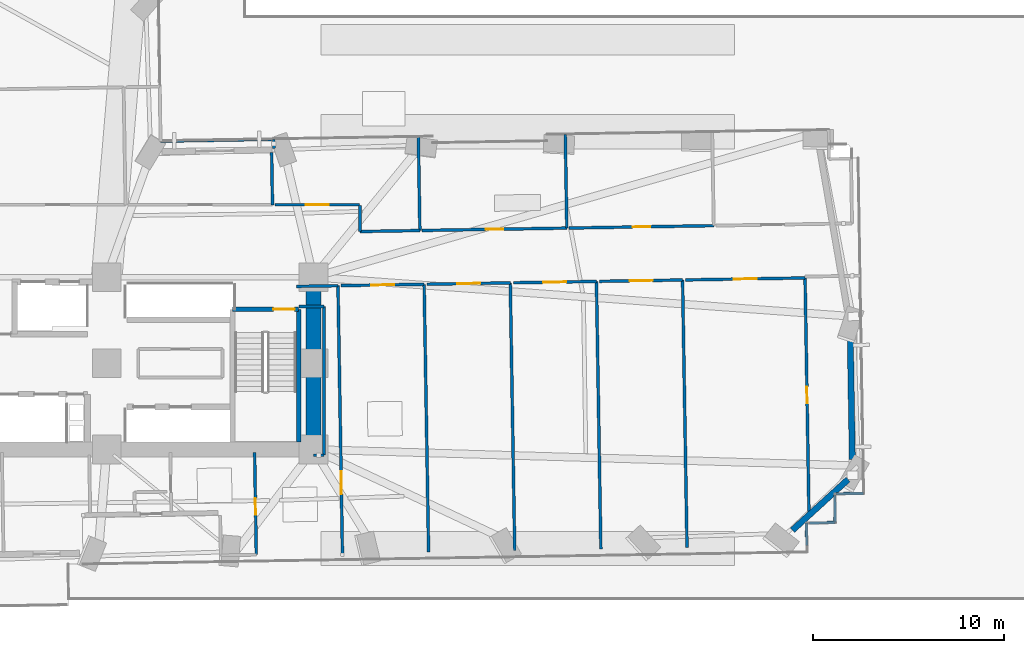
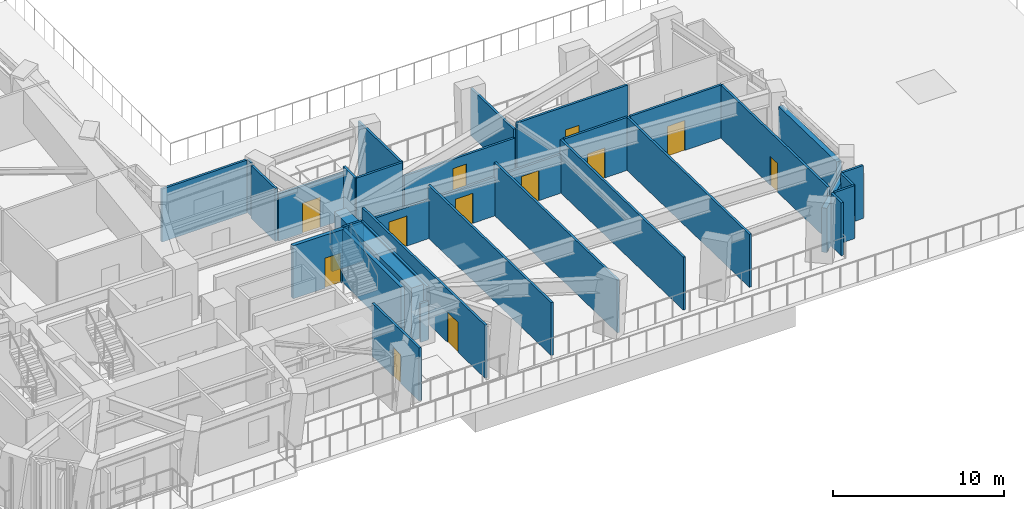
# One storey, part 8 of 17: 35 walls, 12 doors, 12 openings.
"""IFC4 building model written with IfcOpenShell, lengths in metres."""

from ifc_helpers import new_model, si_unit, direction, frame, frame_2d, origin, place, context, subcontext, project, spatial, rectangle, extrude, material, layer, layer_set, type_object, element, fill, save


model = new_model("IFC4")

# Units and contexts
model_context = context("Model", 3, precision=1e-05, world=origin(), true_north=direction((0.0, 1.0)))
body_context = subcontext(model_context, "Body", "Model", "MODEL_VIEW")
ifc_project = project(units=[si_unit("LENGTHUNIT", "METRE"), si_unit("AREAUNIT", "SQUARE_METRE"), si_unit("VOLUMEUNIT", "CUBIC_METRE"), si_unit("PLANEANGLEUNIT", "RADIAN"), si_unit("MASSUNIT", "GRAM", prefix="KILO")], contexts=[model_context])

# Site, building, storey
site_placement = place(None, origin())
site = spatial("IfcSite", under=ifc_project, at=site_placement, CompositionType="ELEMENT")
building_placement = place(site_placement, origin())
building = spatial("IfcBuilding", under=site, at=building_placement, Name="Gaonmaruhae Medical Tower", CompositionType="ELEMENT")
storey_placement = place(building_placement, frame((0.0, 0.0, 27.0)))
storey = spatial("IfcBuildingStorey", under=building, at=storey_placement, Name="L05", CompositionType="ELEMENT", Elevation=27.0)

# Walls
ifc_material_1 = material(Name="Concrete C60/75", Category="concrete")
ifc_layer_1 = layer(ifc_material_1, 0.800048828125)
ifc_layer_set_1 = layer_set([ifc_layer_1], Name="Concrete C60/75")
wall_type_1 = type_object("IfcWallType", Name="CW-800 Lower Core Shear Wall", PredefinedType="SHEAR", material=ifc_layer_set_1)
wall_1_placement = place(storey_placement, frame((35.60009765625, 7.800048828125, 0.0), z_axis=(0.0, 0.0, 1.0), x_axis=(0.0, 1.0, 0.0)))
element("IfcWall", 1, at=wall_1_placement, inside=storey, type_object=wall_type_1, Name="L05 Core Shear Wall CSW-E1", PredefinedType="SHEAR", context=body_context, shape_type="SweptSolid", body=[
    extrude(rectangle(XDim=9.0, YDim=0.800048828125, at=frame_2d((4.5, 0.0))), origin(), (0.0, 0.0, 1.0), 3.780029296875),
])
ifc_material_2 = material(Name="Precast concrete C45/55", Category="concrete")
ifc_layer_2 = layer(ifc_material_2, 0.320068359375)
ifc_layer_set_2 = layer_set([ifc_layer_2], Name="Precast concrete C45/55")
wall_type_2 = type_object("IfcWallType", Name="EW-320 Lower Precast Masonry-Frame Facade Wall", PredefinedType="SOLIDWALL", material=ifc_layer_set_2)
wall_2_placement = place(storey_placement, frame((63.520751953125, 6.230712890625, 0.0), z_axis=(0.0, 0.0, 1.0), x_axis=(-0.738453195847, -0.674304736409, 0.0)))
element("IfcWall", 2, at=wall_2_placement, inside=storey, type_object=wall_type_2, Name="L05 Precast Masonry-Frame Wall S08-E01", PredefinedType="SOLIDWALL", context=body_context, shape_type="SweptSolid", body=[
    extrude(rectangle(XDim=3.927734375, YDim=0.320068359375, at=frame_2d((1.9638671875, 0.0))), origin(), (0.0, 0.0, 1.0), 3.1650390625),
])
wall_3_placement = place(storey_placement, frame((63.635009765625, 13.893310546875, 0.0), z_axis=(0.0, 0.0, 1.0), x_axis=(0.016583733653, -0.999862480433, 0.0)))
element("IfcWall", 3, at=wall_3_placement, inside=storey, type_object=wall_type_2, Name="L05 Precast Masonry-Frame Wall E01-E02", PredefinedType="SOLIDWALL", context=body_context, shape_type="SweptSolid", body=[
    extrude(rectangle(XDim=6.610107421875, YDim=0.320068359375, at=frame_2d((3.30517578125, 0.0))), origin(), (0.0, 0.0, 1.0), 3.1650390625),
])

# Wall, opening, door
ifc_material_3 = material(Name="Gypsum board partition", Category="gypsum")
ifc_layer_3 = layer(ifc_material_3, 0.14990234375)
ifc_layer_set_3 = layer_set([ifc_layer_3], Name="Gypsum board partition")
wall_type_3 = type_object("IfcWallType", Name="PW-150 Rated Clinical Corridor Partition", PredefinedType="PARTITIONING", material=ifc_layer_set_3)
wall_4_placement = place(storey_placement, frame((32.52490234375, 7.639892578125, 0.0), z_axis=(0.0, 0.0, 1.0), x_axis=(0.016505890819, -0.999863768505, 0.0)))
wall_4 = element("IfcWall", 4, at=wall_4_placement, inside=storey, type_object=wall_type_3, Name="L05 Interior Partition L05-SUP06-24", PredefinedType="PARTITIONING", context=body_context, shape_type="SweptSolid", body=[
    extrude(rectangle(XDim=5.339599609375, YDim=0.14990234375, at=frame_2d((2.669921875, 0.0))), origin(), (0.0, 0.0, 1.0), 3.780029296875),
])
opening_1_placement = place(wall_4_placement, frame((2.389892578125, 0.0, 0.0)))
opening_1 = element("IfcOpeningElement", 5, at=opening_1_placement, cuts=wall_4, Name="Opening AD-01", PredefinedType="OPENING", context=body_context, shape_type="SweptSolid", body=[
    extrude(rectangle(XDim=0.860107421875, YDim=2.06005859375, at=frame_2d((0.43017578125, 1.030029296875))), frame((0.0, 0.0849609375, 0.0), z_axis=(0.0, -1.0, 0.0), x_axis=(1.0, 0.0, 0.0)), (0.0, 0.0, 1.0), 0.169921875),
])
ifc_material_4 = material(Name="Powder-coated steel access door", Category="steel")
door_type_1 = type_object("IfcDoorType", Name="AD-01 Riser & Closet Access Fire Door 860x2060", OperationType="NOTDEFINED", PredefinedType="DOOR", material=ifc_material_4)
door_1_placement = place(opening_1_placement, origin())
door_1 = element("IfcDoor", 6, at=door_1_placement, inside=storey, type_object=door_type_1, Name="L05 Clinical Biomedical Charting Office Sliding Door", OperationType="SLIDING_TO_LEFT", OverallHeight=2.06005859375, OverallWidth=0.860107421875, PredefinedType="DOOR", context=body_context, shape_type="SweptSolid", body=[
    extrude(rectangle(XDim=0.860107421875, YDim=2.06005859375, at=frame_2d((0.43017578125, 1.030029296875))), frame((0.0, 0.02490234375, 0.0), z_axis=(0.0, -1.0, 0.0), x_axis=(1.0, 0.0, 0.0)), (0.0, 0.0, 1.0), 0.050048828125),
])
fill(opening_1, door_1)

# Walls
wall_5_placement = place(storey_placement, frame((36.14990234375, 15.260009765625, 0.0), z_axis=(0.0, 0.0, 1.0), x_axis=(-1.0, 0.0, 0.0)))
element("IfcWall", 7, at=wall_5_placement, inside=storey, type_object=wall_type_3, Name="L05 Interior Partition L05-TRM07-27", PredefinedType="PARTITIONING", context=body_context, shape_type="SweptSolid", body=[
    extrude(rectangle(XDim=1.2998046875, YDim=0.14990234375, at=frame_2d((0.64990234375, 0.0))), origin(), (0.0, 0.0, 1.0), 3.780029296875),
])
wall_6_placement = place(storey_placement, frame((34.7119140625, 16.31689453125, 0.0), z_axis=(0.0, 0.0, 1.0), x_axis=(0.99986114004, 0.016664352334, 0.0)))
element("IfcWall", 8, at=wall_6_placement, inside=storey, type_object=wall_type_3, Name="L05 Interior Partition L05-TRM07-28", PredefinedType="PARTITIONING", context=body_context, shape_type="SweptSolid", body=[
    extrude(rectangle(XDim=2.168212890625, YDim=0.14990234375, at=frame_2d((1.083984375, 0.0))), origin(), (0.0, 0.0, 1.0), 2.764892578125),
])

# Wall, opening, door
wall_7_placement = place(storey_placement, frame((36.8798828125, 16.35302734375, 0.0), z_axis=(0.0, 0.0, 1.0), x_axis=(0.016607902284, -0.99986207928, 0.0)))
wall_7 = element("IfcWall", 9, at=wall_7_placement, inside=storey, type_object=wall_type_3, Name="L05 Interior Partition L05-TRM07-29", PredefinedType="PARTITIONING", context=body_context, shape_type="SweptSolid", body=[
    extrude(rectangle(XDim=13.97998046875, YDim=0.14990234375, at=frame_2d((6.989990234375, 0.0))), origin(), (0.0, 0.0, 1.0), 3.780029296875),
])
opening_2_placement = place(wall_7_placement, frame((9.689208984375, 0.0, 0.0)))
opening_2 = element("IfcOpeningElement", 10, at=opening_2_placement, cuts=wall_7, Name="Opening CD-02", PredefinedType="OPENING", context=body_context, shape_type="SweptSolid", body=[
    extrude(rectangle(XDim=1.199951171875, YDim=2.14990234375, at=frame_2d((0.60009765625, 1.074951171875))), frame((0.0, 0.0849609375, 0.0), z_axis=(0.0, -1.0, 0.0), x_axis=(1.0, 0.0, 0.0)), (0.0, 0.0, 1.0), 0.169921875),
])
ifc_material_5 = material(Name="Antimicrobial laminate timber fire door", Category="wood")
door_type_2 = type_object("IfcDoorType", Name="CD-02 Clinical Treatment & Procedure Door 1200x2150", OperationType="NOTDEFINED", PredefinedType="DOOR", material=ifc_material_5)
door_2_placement = place(opening_2_placement, origin())
door_2 = element("IfcDoor", 11, at=door_2_placement, inside=storey, type_object=door_type_2, Name="L05 Clinical Procedure Examination Room Sliding Door", OperationType="SLIDING_TO_LEFT", OverallHeight=2.14990234375, OverallWidth=1.199951171875, PredefinedType="DOOR", context=body_context, shape_type="SweptSolid", body=[
    extrude(rectangle(XDim=1.199951171875, YDim=2.14990234375, at=frame_2d((0.60009765625, 1.074951171875))), frame((0.0, 0.02490234375, 0.0), z_axis=(0.0, -1.0, 0.0), x_axis=(1.0, 0.0, 0.0)), (0.0, 0.0, 1.0), 0.050048828125),
])
fill(opening_2, door_2)

# Walls
wall_8_placement = place(storey_placement, frame((35.60009765625, 7.5, 0.0), z_axis=(0.0, 0.0, 1.0), x_axis=(1.0, 0.0, 0.0)))
element("IfcWall", 12, at=wall_8_placement, inside=storey, type_object=wall_type_3, Name="L05 Interior Partition L05-TRM07-30", PredefinedType="PARTITIONING", context=body_context, shape_type="SweptSolid", body=[
    extrude(rectangle(XDim=0.5498046875, YDim=0.14990234375, at=frame_2d((0.27490234375, 0.0))), origin(), (0.0, 0.0, 1.0), 2.764892578125),
])
wall_9_placement = place(storey_placement, frame((36.14990234375, 7.5, 0.0), z_axis=(0.0, 0.0, 1.0), x_axis=(0.0, 1.0, 0.0)))
element("IfcWall", 13, at=wall_9_placement, inside=storey, type_object=wall_type_3, Name="L05 Interior Partition L05-TRM07-31", PredefinedType="PARTITIONING", context=body_context, shape_type="SweptSolid", body=[
    extrude(rectangle(XDim=7.760009765625, YDim=0.14990234375, at=frame_2d((3.8798828125, 0.0))), origin(), (0.0, 0.0, 1.0), 3.780029296875),
])

# Wall, opening, door
wall_10_placement = place(storey_placement, frame((37.0400390625, 16.35595703125, 0.0), z_axis=(0.0, 0.0, 1.0), x_axis=(0.999862324628, 0.016593124762, 0.0)))
wall_10 = element("IfcWall", 14, at=wall_10_placement, inside=storey, type_object=wall_type_3, Name="L05 Interior Partition L05-SUP08-32", PredefinedType="PARTITIONING", context=body_context, shape_type="SweptSolid", body=[
    extrude(rectangle(XDim=4.34033203125, YDim=0.14990234375, at=frame_2d((2.170166015625, 0.0))), origin(), (0.0, 0.0, 1.0), 2.764892578125),
])
opening_3_placement = place(wall_10_placement, frame((1.5703125, 0.0, 0.0)))
opening_3 = element("IfcOpeningElement", 15, at=opening_3_placement, cuts=wall_10, Name="Opening CD-02", PredefinedType="OPENING", context=body_context, shape_type="SweptSolid", body=[
    extrude(rectangle(XDim=1.199951171875, YDim=2.14990234375, at=frame_2d((0.60009765625, 1.074951171875))), frame((0.0, 0.0849609375, 0.0), z_axis=(0.0, -1.0, 0.0), x_axis=(1.0, 0.0, 0.0)), (0.0, 0.0, 1.0), 0.169921875),
])
door_3_placement = place(opening_3_placement, origin())
door_3 = element("IfcDoor", 16, at=door_3_placement, inside=storey, type_object=door_type_2, Name="L05 Clinical Biomedical Charting Office Door", OperationType="SINGLE_SWING_LEFT", OverallHeight=2.14990234375, OverallWidth=1.199951171875, PredefinedType="DOOR", context=body_context, shape_type="SweptSolid", body=[
    extrude(rectangle(XDim=1.199951171875, YDim=2.14990234375, at=frame_2d((0.60009765625, 1.074951171875))), frame((0.0, 0.02490234375, 0.0), z_axis=(0.0, -1.0, 0.0), x_axis=(1.0, 0.0, 0.0)), (0.0, 0.0, 1.0), 0.050048828125),
])
fill(opening_3, door_3)

# Wall
wall_11_placement = place(storey_placement, frame((41.3798828125, 16.427978515625, 0.0), z_axis=(0.0, 0.0, 1.0), x_axis=(0.016607902284, -0.99986207928, 0.0)))
element("IfcWall", 17, at=wall_11_placement, inside=storey, type_object=wall_type_3, Name="L05 Interior Partition L05-SUP08-33", PredefinedType="PARTITIONING", context=body_context, shape_type="SweptSolid", body=[
    extrude(rectangle(XDim=13.97998046875, YDim=0.14990234375, at=frame_2d((6.989990234375, 0.0))), origin(), (0.0, 0.0, 1.0), 3.780029296875),
])

# Wall, opening, door
wall_12_placement = place(storey_placement, frame((41.5400390625, 16.429931640625, 0.0), z_axis=(0.0, 0.0, 1.0), x_axis=(0.99986226266, 0.0165968584, 0.0)))
wall_12 = element("IfcWall", 18, at=wall_12_placement, inside=storey, type_object=wall_type_3, Name="L05 Interior Partition L05-SUP09-34", PredefinedType="PARTITIONING", context=body_context, shape_type="SweptSolid", body=[
    extrude(rectangle(XDim=4.33935546875, YDim=0.14990234375, at=frame_2d((2.169677734375, 0.0))), origin(), (0.0, 0.0, 1.0), 2.764892578125),
])
opening_4_placement = place(wall_12_placement, frame((1.56982421875, 0.0, 0.0)))
opening_4 = element("IfcOpeningElement", 19, at=opening_4_placement, cuts=wall_12, Name="Opening CD-02", PredefinedType="OPENING", context=body_context, shape_type="SweptSolid", body=[
    extrude(rectangle(XDim=1.199951171875, YDim=2.14990234375, at=frame_2d((0.60009765625, 1.074951171875))), frame((0.0, 0.0849609375, 0.0), z_axis=(0.0, -1.0, 0.0), x_axis=(1.0, 0.0, 0.0)), (0.0, 0.0, 1.0), 0.169921875),
])
door_4_placement = place(opening_4_placement, origin())
door_4 = element("IfcDoor", 20, at=door_4_placement, inside=storey, type_object=door_type_2, Name="L05 Clinical Biomedical Charting Office Door", OperationType="SINGLE_SWING_LEFT", OverallHeight=2.14990234375, OverallWidth=1.199951171875, PredefinedType="DOOR", context=body_context, shape_type="SweptSolid", body=[
    extrude(rectangle(XDim=1.199951171875, YDim=2.14990234375, at=frame_2d((0.60009765625, 1.074951171875))), frame((0.0, 0.02490234375, 0.0), z_axis=(0.0, -1.0, 0.0), x_axis=(1.0, 0.0, 0.0)), (0.0, 0.0, 1.0), 0.050048828125),
])
fill(opening_4, door_4)

# Wall
wall_13_placement = place(storey_placement, frame((45.87890625, 16.501953125, 0.0), z_axis=(0.0, 0.0, 1.0), x_axis=(0.016607902284, -0.99986207928, 0.0)))
element("IfcWall", 21, at=wall_13_placement, inside=storey, type_object=wall_type_3, Name="L05 Interior Partition L05-SUP09-35", PredefinedType="PARTITIONING", context=body_context, shape_type="SweptSolid", body=[
    extrude(rectangle(XDim=13.97998046875, YDim=0.14990234375, at=frame_2d((6.989990234375, 0.0))), origin(), (0.0, 0.0, 1.0), 3.780029296875),
])

# Wall, opening, door
wall_14_placement = place(storey_placement, frame((46.0390625, 16.5048828125, 0.0), z_axis=(0.0, 0.0, 1.0), x_axis=(0.999862324628, 0.016593124762, 0.0)))
wall_14 = element("IfcWall", 22, at=wall_14_placement, inside=storey, type_object=wall_type_3, Name="L05 Interior Partition L05-SUP10-36", PredefinedType="PARTITIONING", context=body_context, shape_type="SweptSolid", body=[
    extrude(rectangle(XDim=4.34033203125, YDim=0.14990234375, at=frame_2d((2.170166015625, 0.0))), origin(), (0.0, 0.0, 1.0), 2.764892578125),
])
opening_5_placement = place(wall_14_placement, frame((1.5703125, 0.0, 0.0)))
opening_5 = element("IfcOpeningElement", 23, at=opening_5_placement, cuts=wall_14, Name="Opening CD-02", PredefinedType="OPENING", context=body_context, shape_type="SweptSolid", body=[
    extrude(rectangle(XDim=1.199951171875, YDim=2.14990234375, at=frame_2d((0.60009765625, 1.074951171875))), frame((0.0, 0.0849609375, 0.0), z_axis=(0.0, -1.0, 0.0), x_axis=(1.0, 0.0, 0.0)), (0.0, 0.0, 1.0), 0.169921875),
])
door_5_placement = place(opening_5_placement, origin())
door_5 = element("IfcDoor", 24, at=door_5_placement, inside=storey, type_object=door_type_2, Name="L05 Clinical Biomedical Charting Office Door", OperationType="SINGLE_SWING_RIGHT", OverallHeight=2.14990234375, OverallWidth=1.199951171875, PredefinedType="DOOR", context=body_context, shape_type="SweptSolid", body=[
    extrude(rectangle(XDim=1.199951171875, YDim=2.14990234375, at=frame_2d((0.60009765625, 1.074951171875))), frame((0.0, 0.02490234375, 0.0), z_axis=(0.0, -1.0, 0.0), x_axis=(1.0, 0.0, 0.0)), (0.0, 0.0, 1.0), 0.050048828125),
])
fill(opening_5, door_5)

# Wall
wall_15_placement = place(storey_placement, frame((50.37890625, 16.576904296875, 0.0), z_axis=(0.0, 0.0, 1.0), x_axis=(0.016538355732, -0.999863232042, 0.0)))
element("IfcWall", 25, at=wall_15_placement, inside=storey, type_object=wall_type_3, Name="L05 Interior Partition L05-SUP10-37", PredefinedType="PARTITIONING", context=body_context, shape_type="SweptSolid", body=[
    extrude(rectangle(XDim=13.979736328125, YDim=0.14990234375, at=frame_2d((6.98974609375, 0.0))), origin(), (0.0, 0.0, 1.0), 3.780029296875),
])

# Wall, opening, door
wall_16_placement = place(storey_placement, frame((50.5390625, 16.580078125, 0.0), z_axis=(0.0, 0.0, 1.0), x_axis=(0.99986226266, 0.0165968584, 0.0)))
wall_16 = element("IfcWall", 26, at=wall_16_placement, inside=storey, type_object=wall_type_3, Name="L05 Interior Partition L05-SUP11-38", PredefinedType="PARTITIONING", context=body_context, shape_type="SweptSolid", body=[
    extrude(rectangle(XDim=4.33935546875, YDim=0.14990234375, at=frame_2d((2.169677734375, 0.0))), origin(), (0.0, 0.0, 1.0), 3.780029296875),
])
opening_6_placement = place(wall_16_placement, frame((1.56982421875, 0.0, 0.0)))
opening_6 = element("IfcOpeningElement", 27, at=opening_6_placement, cuts=wall_16, Name="Opening CD-02", PredefinedType="OPENING", context=body_context, shape_type="SweptSolid", body=[
    extrude(rectangle(XDim=1.199951171875, YDim=2.14990234375, at=frame_2d((0.60009765625, 1.074951171875))), frame((0.0, 0.0849609375, 0.0), z_axis=(0.0, -1.0, 0.0), x_axis=(1.0, 0.0, 0.0)), (0.0, 0.0, 1.0), 0.169921875),
])
door_6_placement = place(opening_6_placement, origin())
door_6 = element("IfcDoor", 28, at=door_6_placement, inside=storey, type_object=door_type_2, Name="L05 Clinical Biomedical Charting Office Door", OperationType="SINGLE_SWING_RIGHT", OverallHeight=2.14990234375, OverallWidth=1.199951171875, PredefinedType="DOOR", context=body_context, shape_type="SweptSolid", body=[
    extrude(rectangle(XDim=1.199951171875, YDim=2.14990234375, at=frame_2d((0.60009765625, 1.074951171875))), frame((0.0, 0.02490234375, 0.0), z_axis=(0.0, -1.0, 0.0), x_axis=(1.0, 0.0, 0.0)), (0.0, 0.0, 1.0), 0.050048828125),
])
fill(opening_6, door_6)

# Wall
wall_17_placement = place(storey_placement, frame((54.8779296875, 16.652099609375, 0.0), z_axis=(0.0, 0.0, 1.0), x_axis=(0.016607902284, -0.99986207928, 0.0)))
element("IfcWall", 29, at=wall_17_placement, inside=storey, type_object=wall_type_3, Name="L05 Interior Partition L05-SUP11-39", PredefinedType="PARTITIONING", context=body_context, shape_type="SweptSolid", body=[
    extrude(rectangle(XDim=13.97998046875, YDim=0.14990234375, at=frame_2d((6.989990234375, 0.0))), origin(), (0.0, 0.0, 1.0), 3.780029296875),
])

# Wall, opening, door
wall_18_placement = place(storey_placement, frame((55.0380859375, 16.654052734375, 0.0), z_axis=(0.0, 0.0, 1.0), x_axis=(0.999861085708, 0.016667611916, 0.0)))
wall_18 = element("IfcWall", 30, at=wall_18_placement, inside=storey, type_object=wall_type_3, Name="L05 Interior Partition L05-SUP12-40", PredefinedType="PARTITIONING", context=body_context, shape_type="SweptSolid", body=[
    extrude(rectangle(XDim=6.239990234375, YDim=0.14990234375, at=frame_2d((3.1201171875, 0.0))), origin(), (0.0, 0.0, 1.0), 3.780029296875),
])
opening_7_placement = place(wall_18_placement, frame((2.52001953125, 0.0, 0.0)))
opening_7 = element("IfcOpeningElement", 31, at=opening_7_placement, cuts=wall_18, Name="Opening CD-02", PredefinedType="OPENING", context=body_context, shape_type="SweptSolid", body=[
    extrude(rectangle(XDim=1.199951171875, YDim=2.14990234375, at=frame_2d((0.60009765625, 1.074951171875))), frame((0.0, 0.0849609375, 0.0), z_axis=(0.0, -1.0, 0.0), x_axis=(1.0, 0.0, 0.0)), (0.0, 0.0, 1.0), 0.169921875),
])
door_7_placement = place(opening_7_placement, origin())
door_7 = element("IfcDoor", 32, at=door_7_placement, inside=storey, type_object=door_type_2, Name="L05 Clinical Biomedical Charting Office Door", OperationType="SINGLE_SWING_LEFT", OverallHeight=2.14990234375, OverallWidth=1.199951171875, PredefinedType="DOOR", context=body_context, shape_type="SweptSolid", body=[
    extrude(rectangle(XDim=1.199951171875, YDim=2.14990234375, at=frame_2d((0.60009765625, 1.074951171875))), frame((0.0, 0.02490234375, 0.0), z_axis=(0.0, -1.0, 0.0), x_axis=(1.0, 0.0, 0.0)), (0.0, 0.0, 1.0), 0.050048828125),
])
fill(opening_7, door_7)

wall_19_placement = place(storey_placement, frame((61.277099609375, 16.758056640625, 0.0), z_axis=(0.0, 0.0, 1.0), x_axis=(0.016535093136, -0.999863286002, 0.0)))
wall_19 = element("IfcWall", 33, at=wall_19_placement, inside=storey, type_object=wall_type_3, Name="L05 Interior Partition L05-SUP12-41", PredefinedType="PARTITIONING", context=body_context, shape_type="SweptSolid", body=[
    extrude(rectangle(XDim=12.210693359375, YDim=0.14990234375, at=frame_2d((6.10546875, 0.0))), origin(), (0.0, 0.0, 1.0), 3.780029296875),
])
opening_8_placement = place(wall_19_placement, frame((5.67529296875, 0.0, 0.0)))
opening_8 = element("IfcOpeningElement", 34, at=opening_8_placement, cuts=wall_19, Name="Opening AD-01", PredefinedType="OPENING", context=body_context, shape_type="SweptSolid", body=[
    extrude(rectangle(XDim=0.860107421875, YDim=2.06005859375, at=frame_2d((0.43017578125, 1.030029296875))), frame((0.0, 0.0849609375, 0.0), z_axis=(0.0, -1.0, 0.0), x_axis=(1.0, 0.0, 0.0)), (0.0, 0.0, 1.0), 0.169921875),
])
door_8_placement = place(opening_8_placement, origin())
door_8 = element("IfcDoor", 35, at=door_8_placement, inside=storey, type_object=door_type_1, Name="L05 Care Team Clinical Charting Office Sliding Door", OperationType="SLIDING_TO_LEFT", OverallHeight=2.06005859375, OverallWidth=0.860107421875, PredefinedType="DOOR", context=body_context, shape_type="SweptSolid", body=[
    extrude(rectangle(XDim=0.860107421875, YDim=2.06005859375, at=frame_2d((0.43017578125, 1.030029296875))), frame((0.0, 0.02490234375, 0.0), z_axis=(0.0, -1.0, 0.0), x_axis=(1.0, 0.0, 0.0)), (0.0, 0.0, 1.0), 0.050048828125),
])
fill(opening_8, door_8)

# Walls
wall_20_placement = place(storey_placement, frame((61.34912109375, 3.95703125, 0.0), z_axis=(0.0, 0.0, 1.0), x_axis=(0.016757423204, -0.999859584526, 0.0)))
element("IfcWall", 36, at=wall_20_placement, inside=storey, type_object=wall_type_3, Name="L05 Interior Partition L05-SUP12-42", PredefinedType="PARTITIONING", context=body_context, shape_type="SweptSolid", body=[
    extrude(rectangle(XDim=1.18017578125, YDim=0.14990234375, at=frame_2d((0.590087890625, 0.0))), origin(), (0.0, 0.0, 1.0), 3.780029296875),
])
wall_21_placement = place(storey_placement, frame((27.614013671875, 23.90087890625, 0.0), z_axis=(0.0, 0.0, 1.0), x_axis=(0.999861981864, 0.016613766062, 0.0)))
element("IfcWall", 37, at=wall_21_placement, inside=storey, type_object=wall_type_3, Name="L05 Interior Partition L05-IE02-77", PredefinedType="PARTITIONING", context=body_context, shape_type="SweptSolid", body=[
    extrude(rectangle(XDim=5.789794921875, YDim=0.14990234375, at=frame_2d((2.89501953125, 0.0))), origin(), (0.0, 0.0, 1.0), 3.780029296875),
])
wall_22_placement = place(storey_placement, frame((33.4140625, 23.31201171875, 0.0), z_axis=(0.0, 0.0, 1.0), x_axis=(0.016441030387, -0.999864837125, 0.0)))
element("IfcWall", 38, at=wall_22_placement, inside=storey, type_object=wall_type_3, Name="L05 Interior Partition L05-IE02-78", PredefinedType="PARTITIONING", context=body_context, shape_type="SweptSolid", body=[
    extrude(rectangle(XDim=2.732421875, YDim=0.14990234375, at=frame_2d((1.3662109375, 0.0))), origin(), (0.0, 0.0, 1.0), 3.780029296875),
])

# Wall, opening, door
wall_23_placement = place(storey_placement, frame((38.0, 20.580078125, 0.0), z_axis=(0.0, 0.0, 1.0), x_axis=(-1.0, 0.0, 0.0)))
wall_23 = element("IfcWall", 39, at=wall_23_placement, inside=storey, type_object=wall_type_3, Name="L05 Interior Partition L05-IE03-80", PredefinedType="PARTITIONING", context=body_context, shape_type="SweptSolid", body=[
    extrude(rectangle(XDim=4.4208984375, YDim=0.14990234375, at=frame_2d((2.21044921875, 0.0))), origin(), (0.0, 0.0, 1.0), 3.364990234375),
])
opening_9_placement = place(wall_23_placement, frame((1.610595703125, 0.0, 0.0)))
opening_9 = element("IfcOpeningElement", 40, at=opening_9_placement, cuts=wall_23, Name="Opening CD-02", PredefinedType="OPENING", context=body_context, shape_type="SweptSolid", body=[
    extrude(rectangle(XDim=1.199951171875, YDim=2.14990234375, at=frame_2d((0.60009765625, 1.074951171875))), frame((0.0, 0.0849609375, 0.0), z_axis=(0.0, -1.0, 0.0), x_axis=(1.0, 0.0, 0.0)), (0.0, 0.0, 1.0), 0.169921875),
])
door_9_placement = place(opening_9_placement, origin())
door_9 = element("IfcDoor", 41, at=door_9_placement, inside=storey, type_object=door_type_2, Name="L05 Clean Medication Preparation Room Door", OperationType="SINGLE_SWING_RIGHT", OverallHeight=2.14990234375, OverallWidth=1.199951171875, PredefinedType="DOOR", context=body_context, shape_type="SweptSolid", body=[
    extrude(rectangle(XDim=1.199951171875, YDim=2.14990234375, at=frame_2d((0.60009765625, 1.074951171875))), frame((0.0, 0.02490234375, 0.0), z_axis=(0.0, -1.0, 0.0), x_axis=(1.0, 0.0, 0.0)), (0.0, 0.0, 1.0), 0.050048828125),
])
fill(opening_9, door_9)

# Walls
wall_24_placement = place(storey_placement, frame((33.531005859375, 23.531982421875, 0.0), z_axis=(0.0, 0.0, 1.0), x_axis=(-0.017247825975, 0.999851245186, 0.0)))
element("IfcWall", 42, at=wall_24_placement, inside=storey, type_object=wall_type_3, Name="L05 Interior Partition L05-IE03-81", PredefinedType="PARTITIONING", context=body_context, shape_type="SweptSolid", body=[
    extrude(rectangle(XDim=0.467041015625, YDim=0.14990234375, at=frame_2d((0.2333984375, 0.0))), origin(), (0.0, 0.0, 1.0), 3.780029296875),
])
wall_25_placement = place(storey_placement, frame((41.076904296875, 24.1240234375, 0.0), z_axis=(0.0, 0.0, 1.0), x_axis=(0.016576997782, -0.999862592132, 0.0)))
element("IfcWall", 43, at=wall_25_placement, inside=storey, type_object=wall_type_3, Name="L05 Interior Partition L05-IE03-82", PredefinedType="PARTITIONING", context=body_context, shape_type="SweptSolid", body=[
    extrude(rectangle(XDim=4.8896484375, YDim=0.14990234375, at=frame_2d((2.44482421875, 0.0))), origin(), (0.0, 0.0, 1.0), 3.780029296875),
])
wall_26_placement = place(storey_placement, frame((41.157958984375, 19.235107421875, 0.0), z_axis=(0.0, 0.0, 1.0), x_axis=(-0.999861832679, -0.016622741989, 0.0)))
element("IfcWall", 44, at=wall_26_placement, inside=storey, type_object=wall_type_3, Name="L05 Interior Partition L05-IE03-83", PredefinedType="PARTITIONING", context=body_context, shape_type="SweptSolid", body=[
    extrude(rectangle(XDim=3.12841796875, YDim=0.14990234375, at=frame_2d((1.564208984375, 0.0))), origin(), (0.0, 0.0, 1.0), 3.780029296875),
])
wall_27_placement = place(storey_placement, frame((38.030029296875, 19.18310546875, 0.0), z_axis=(0.0, 0.0, 1.0), x_axis=(0.0, 1.0, 0.0)))
element("IfcWall", 45, at=wall_27_placement, inside=storey, type_object=wall_type_3, Name="L05 Interior Partition L05-IE03-84", PredefinedType="PARTITIONING", context=body_context, shape_type="SweptSolid", body=[
    extrude(rectangle(XDim=1.369873046875, YDim=0.14990234375, at=frame_2d((0.68505859375, 0.0))), origin(), (0.0, 0.0, 1.0), 3.780029296875),
])

# Wall, opening, door
wall_28_placement = place(storey_placement, frame((48.8330078125, 19.362060546875, 0.0), z_axis=(0.0, 0.0, 1.0), x_axis=(-0.999863151577, -0.0165432197, 0.0)))
wall_28 = element("IfcWall", 46, at=wall_28_placement, inside=storey, type_object=wall_type_3, Name="L05 Interior Partition L05-IE04-85", PredefinedType="PARTITIONING", context=body_context, shape_type="SweptSolid", body=[
    extrude(rectangle(XDim=7.555908203125, YDim=0.14990234375, at=frame_2d((3.77783203125, 0.0))), origin(), (0.0, 0.0, 1.0), 2.764892578125),
])
opening_10_placement = place(wall_28_placement, frame((3.318115234375, 0.0, 0.0)))
opening_10 = element("IfcOpeningElement", 47, at=opening_10_placement, cuts=wall_28, Name="Opening UD-01", PredefinedType="OPENING", context=body_context, shape_type="SweptSolid", body=[
    extrude(rectangle(XDim=0.919921875, YDim=2.10009765625, at=frame_2d((0.4599609375, 1.050048828125))), frame((0.0, 0.0849609375, 0.0), z_axis=(0.0, -1.0, 0.0), x_axis=(1.0, 0.0, 0.0)), (0.0, 0.0, 1.0), 0.169921875),
])
ifc_material_6 = material(Name="Powder-coated steel utility door", Category="steel")
door_type_3 = type_object("IfcDoorType", Name="UD-01 Toilet, Utility & Housekeeping Door 920x2100", OperationType="NOTDEFINED", PredefinedType="DOOR", material=ifc_material_6)
door_10_placement = place(opening_10_placement, origin())
door_10 = element("IfcDoor", 48, at=door_10_placement, inside=storey, type_object=door_type_3, Name="L05 Accessible Public Toilet Door", OperationType="SINGLE_SWING_LEFT", OverallHeight=2.10009765625, OverallWidth=0.919921875, PredefinedType="DOOR", context=body_context, shape_type="SweptSolid", body=[
    extrude(rectangle(XDim=0.919921875, YDim=2.10009765625, at=frame_2d((0.4599609375, 1.050048828125))), frame((0.0, 0.02490234375, 0.0), z_axis=(0.0, -1.0, 0.0), x_axis=(1.0, 0.0, 0.0)), (0.0, 0.0, 1.0), 0.050048828125),
])
fill(opening_10, door_10)

# Wall
wall_29_placement = place(storey_placement, frame((48.751953125, 24.2509765625, 0.0), z_axis=(0.0, 0.0, 1.0), x_axis=(0.016576997782, -0.999862592132, 0.0)))
element("IfcWall", 49, at=wall_29_placement, inside=storey, type_object=wall_type_3, Name="L05 Interior Partition L05-IE04-86", PredefinedType="PARTITIONING", context=body_context, shape_type="SweptSolid", body=[
    extrude(rectangle(XDim=4.8896484375, YDim=0.14990234375, at=frame_2d((2.44482421875, 0.0))), origin(), (0.0, 0.0, 1.0), 3.364990234375),
])

# Wall, opening, door
wall_30_placement = place(storey_placement, frame((56.507080078125, 19.489013671875, 0.0), z_axis=(0.0, 0.0, 1.0), x_axis=(-0.999863125045, -0.016544823218, 0.0)))
wall_30 = element("IfcWall", 50, at=wall_30_placement, inside=storey, type_object=wall_type_3, Name="L05 Interior Partition L05-IE05-87", PredefinedType="PARTITIONING", context=body_context, shape_type="SweptSolid", body=[
    extrude(rectangle(XDim=7.55517578125, YDim=0.14990234375, at=frame_2d((3.777587890625, 0.0))), origin(), (0.0, 0.0, 1.0), 3.780029296875),
])
opening_11_placement = place(wall_30_placement, frame((3.3173828125, 0.0, 0.0)))
opening_11 = element("IfcOpeningElement", 51, at=opening_11_placement, cuts=wall_30, Name="Opening UD-01", PredefinedType="OPENING", context=body_context, shape_type="SweptSolid", body=[
    extrude(rectangle(XDim=0.919921875, YDim=2.10009765625, at=frame_2d((0.4599609375, 1.050048828125))), frame((0.0, 0.0849609375, 0.0), z_axis=(0.0, -1.0, 0.0), x_axis=(1.0, 0.0, 0.0)), (0.0, 0.0, 1.0), 0.169921875),
])
door_11_placement = place(opening_11_placement, origin())
door_11 = element("IfcDoor", 52, at=door_11_placement, inside=storey, type_object=door_type_3, Name="L05 Ward Housekeeping and Linen Store Door", OperationType="SINGLE_SWING_LEFT", OverallHeight=2.10009765625, OverallWidth=0.919921875, PredefinedType="DOOR", context=body_context, shape_type="SweptSolid", body=[
    extrude(rectangle(XDim=0.919921875, YDim=2.10009765625, at=frame_2d((0.4599609375, 1.050048828125))), frame((0.0, 0.02490234375, 0.0), z_axis=(0.0, -1.0, 0.0), x_axis=(1.0, 0.0, 0.0)), (0.0, 0.0, 1.0), 0.050048828125),
])
fill(opening_11, door_11)

# Walls
wall_31_placement = place(storey_placement, frame((62.824951171875, 5.4130859375, 0.0), z_axis=(0.0, 0.0, 1.0), x_axis=(0.016886026044, -0.999857420898, 0.0)))
element("IfcWall", 53, at=wall_31_placement, inside=storey, type_object=wall_type_3, Name="L05 Interior Partition L05-RM02-107", PredefinedType="PARTITIONING", context=body_context, shape_type="SweptSolid", body=[
    extrude(rectangle(XDim=1.431396484375, YDim=0.14990234375, at=frame_2d((0.7158203125, 0.0))), origin(), (0.0, 0.0, 1.0), 3.780029296875),
])
wall_32_placement = place(storey_placement, frame((62.84912109375, 3.98193359375, 0.0), z_axis=(0.0, 0.0, 1.0), x_axis=(-0.999865605652, -0.016394225635, 0.0)))
element("IfcWall", 54, at=wall_32_placement, inside=storey, type_object=wall_type_3, Name="L05 Interior Partition L05-RM02-108", PredefinedType="PARTITIONING", context=body_context, shape_type="SweptSolid", body=[
    extrude(rectangle(XDim=1.34033203125, YDim=0.14990234375, at=frame_2d((0.670166015625, 0.0))), origin(), (0.0, 0.0, 1.0), 3.780029296875),
])
wall_33_placement = place(storey_placement, frame((64.323974609375, 5.507080078125, 0.0), z_axis=(0.0, 0.0, 1.0), x_axis=(-0.999855356078, -0.017007848841, 0.0)))
element("IfcWall", 55, at=wall_33_placement, inside=storey, type_object=wall_type_3, Name="L05 Interior Partition L05-RM02-112", PredefinedType="PARTITIONING", context=body_context, shape_type="SweptSolid", body=[
    extrude(rectangle(XDim=1.421142578125, YDim=0.14990234375, at=frame_2d((0.71044921875, 0.0))), origin(), (0.0, 0.0, 1.0), 3.780029296875),
])

# Wall, opening, door
ifc_material_7 = material(Name="Concrete C50/60", Category="concrete")
ifc_layer_4 = layer(ifc_material_7, 0.239990234375)
ifc_layer_set_4 = layer_set([ifc_layer_4], Name="Concrete C50/60")
wall_type_4 = type_object("IfcWallType", Name="SW-240 Dogleg Stair Tight Shaft Wall", PredefinedType="SOLIDWALL", material=ifc_layer_set_4)
wall_34_placement = place(storey_placement, frame((31.3701171875, 15.1201171875, 0.0), z_axis=(0.0, 0.0, 1.0), x_axis=(1.0, 0.0, 0.0)))
wall_34 = element("IfcWall", 56, at=wall_34_placement, inside=storey, type_object=wall_type_4, Name="L05 ST-02 Stair Shaft Wall SHW-ST-02-N", PredefinedType="SOLIDWALL", context=body_context, shape_type="SweptSolid", body=[
    extrude(rectangle(XDim=3.4599609375, YDim=0.239990234375, at=frame_2d((1.72998046875, 0.0))), origin(), (0.0, 0.0, 1.0), 3.780029296875),
])
opening_12_placement = place(wall_34_placement, frame((2.139892578125, 0.0, 0.0)))
opening_12 = element("IfcOpeningElement", 57, at=opening_12_placement, cuts=wall_34, Name="Opening FD-01", PredefinedType="OPENING", context=body_context, shape_type="SweptSolid", body=[
    extrude(rectangle(XDim=1.10009765625, YDim=2.14990234375, at=frame_2d((0.550048828125, 1.074951171875))), frame((0.0, 0.1298828125, 0.0), z_axis=(0.0, -1.0, 0.0), x_axis=(1.0, 0.0, 0.0)), (0.0, 0.0, 1.0), 0.260009765625),
])
ifc_material_8 = material(Name="Powder-coated steel fire door", Category="steel")
door_type_4 = type_object("IfcDoorType", Name="FD-01 Escape Stair Protected Fire Door 1100x2150", OperationType="NOTDEFINED", PredefinedType="DOOR", material=ifc_material_8)
door_12_placement = place(opening_12_placement, origin())
door_12 = element("IfcDoor", 58, at=door_12_placement, inside=storey, type_object=door_type_4, Name="L05 ST-02 Protected Escape Stair Door", OperationType="SINGLE_SWING_LEFT", OverallHeight=2.14990234375, OverallWidth=1.10009765625, PredefinedType="DOOR", context=body_context, shape_type="SweptSolid", body=[
    extrude(rectangle(XDim=1.10009765625, YDim=2.14990234375, at=frame_2d((0.550048828125, 1.074951171875))), frame((0.0, 0.02490234375, 0.0), z_axis=(0.0, -1.0, 0.0), x_axis=(1.0, 0.0, 0.0)), (0.0, 0.0, 1.0), 0.050048828125),
])
fill(opening_12, door_12)

# Wall
wall_35_placement = place(storey_placement, frame((34.830078125, 15.1201171875, 0.0), z_axis=(0.0, 0.0, 1.0), x_axis=(0.0, -1.0, 0.0)))
element("IfcWall", 59, at=wall_35_placement, inside=storey, type_object=wall_type_4, Name="L05 ST-02 Stair Shaft Wall SHW-ST-02-E", PredefinedType="SOLIDWALL", context=body_context, shape_type="SweptSolid", body=[
    extrude(rectangle(XDim=6.920166015625, YDim=0.239990234375, at=frame_2d((3.4599609375, 0.0))), origin(), (0.0, 0.0, 1.0), 3.780029296875),
])

save(model, "model.ifc")
